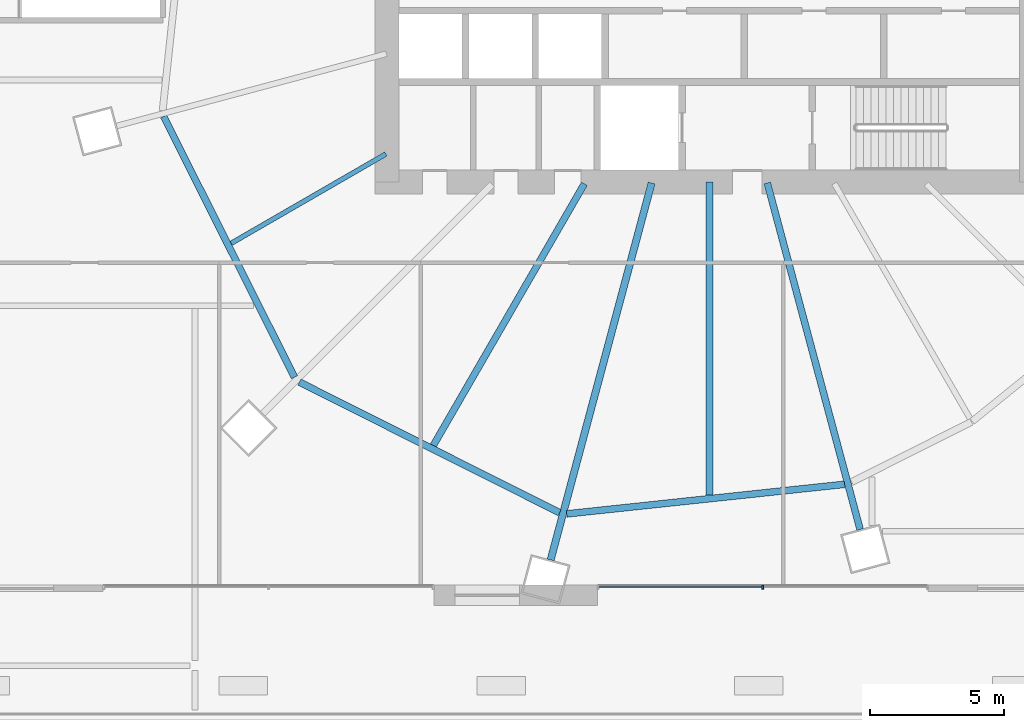
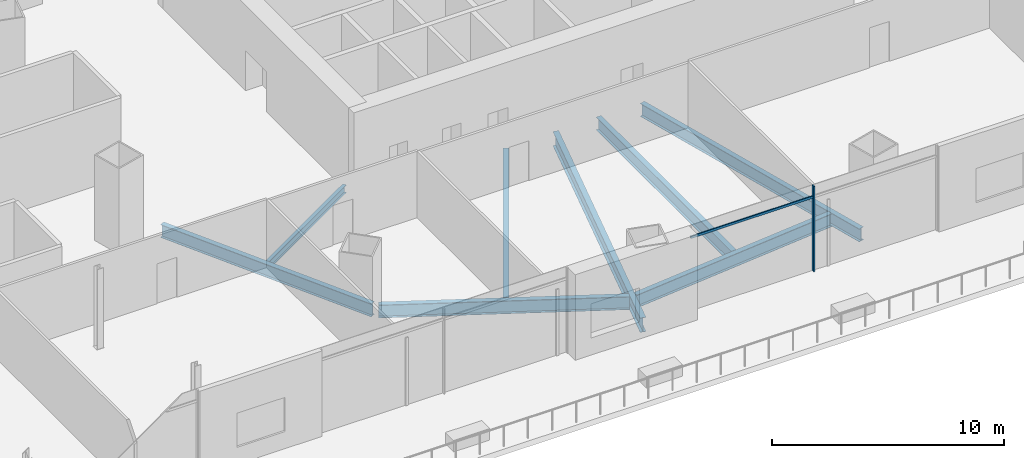
# One storey, part 21 of 49: 8 beams, 2 members, 1 element without a shape of its own.
"""IFC4 building model written with IfcOpenShell, lengths in metres."""

from ifc_helpers import new_model, si_unit, direction, frame, origin, origin_2d, place, context, subcontext, project, spatial, rectangle, i_section, extrude, material, material_profile, profile_set, type_object, element, aggregate, save


model = new_model("IFC4")

# Units and contexts
model_context = context("Model", 3, precision=1e-05, world=origin(), true_north=direction((0.0, 1.0)))
body_context = subcontext(model_context, "Body", "Model", "MODEL_VIEW")
ifc_project = project(units=[si_unit("LENGTHUNIT", "METRE"), si_unit("AREAUNIT", "SQUARE_METRE"), si_unit("VOLUMEUNIT", "CUBIC_METRE"), si_unit("PLANEANGLEUNIT", "RADIAN"), si_unit("MASSUNIT", "GRAM", prefix="KILO")], contexts=[model_context])

# Site, building, storey
site_placement = place(None, origin())
site = spatial("IfcSite", under=ifc_project, at=site_placement, CompositionType="ELEMENT")
building_placement = place(site_placement, origin())
building = spatial("IfcBuilding", under=site, at=building_placement, Name="Rimbun Link Towers", CompositionType="ELEMENT")
storey_placement = place(building_placement, frame((0.0, 0.0, 25.5)))
storey = spatial("IfcBuildingStorey", under=building, at=storey_placement, Name="L05", CompositionType="ELEMENT", Elevation=25.5)

# Curtain wall, members
ifc_material_1 = material(Name="Aluminium 6063-T6 and low-iron glass", Category="aluminium")
curtain_wall_type = type_object("IfcCurtainWallType", Name="CW3 podium shopfront", PredefinedType="NOTDEFINED", material=ifc_material_1)
curtain_wall_placement = place(storey_placement, origin())
curtain_wall = element("IfcCurtainWall", 1, at=curtain_wall_placement, inside=storey, type_object=curtain_wall_type, Name="CW3 L05 PD", PredefinedType="NOTDEFINED")
ifc_material_2 = material(Name="Aluminium 6063-T6", Category="aluminium")
ifc_material_profile_1 = material_profile(ifc_material_2, rectangle(XDim=0.14990234375, YDim=0.06005859375, at=origin_2d()), Name="MULLION 60X150")
ifc_profile_set_1 = profile_set([ifc_material_profile_1], Name="Aluminium 6063-T6")
member_type_1 = type_object("IfcMemberType", Name="CW3 mullion 60X150", PredefinedType="MULLION", material=ifc_profile_set_1)
member_1_placement = place(storey_placement, frame((33.7333984375, -23.074951171875, 0.0), z_axis=(0.0, 0.0, 1.0), x_axis=(0.0, -1.0, 0.0)))
member_1 = element("IfcMember", 2, at=member_1_placement, type_object=member_type_1, Name="CW3 mullion", PredefinedType="MULLION", context=body_context, shape_type="SweptSolid", body=[
    extrude(rectangle(XDim=0.14990234375, YDim=0.06005859375, at=origin_2d()), origin(), (0.0, 0.0, 1.0), 4.5),
])
ifc_material_3 = material(Name="Aluminium 6063-T6", Category="aluminium")
ifc_material_profile_2 = material_profile(ifc_material_3, rectangle(XDim=0.06005859375, YDim=0.1201171875, at=origin_2d()), Name="TRANSOM 60X120")
ifc_profile_set_2 = profile_set([ifc_material_profile_2], Name="Aluminium 6063-T6")
member_type_2 = type_object("IfcMemberType", Name="CW3 transom 60X120", PredefinedType="USERDEFINED", material=ifc_profile_set_2)
member_2_placement = place(storey_placement, frame((33.703369140625, -23.053955078125, 3.89990234375), z_axis=(-1.0, 0.0, 0.0), x_axis=(0.0, -1.0, 0.0)))
member_2 = element("IfcMember", 3, at=member_2_placement, type_object=member_type_2, Name="CW3 transom", ObjectType="TRANSOM", PredefinedType="USERDEFINED", context=body_context, shape_type="SweptSolid", body=[
    extrude(rectangle(XDim=0.06005859375, YDim=0.1201171875, at=origin_2d()), origin(), (0.0, 0.0, 1.0), 6.073486328125),
])
aggregate(curtain_wall, [member_1, member_2])

# Beams
ifc_material_4 = material(Name="Steel S355J2", Category="steel")
ifc_material_profile_3 = material_profile(ifc_material_4, i_section(OverallWidth=0.177978515625, OverallDepth=0.406494140625, WebThickness=0.0078125, FlangeThickness=0.0126953125, at=origin_2d()), Name="UB 406x178x60")
ifc_profile_set_3 = profile_set([ifc_material_profile_3], Name="Steel S355J2")
beam_type_1 = type_object("IfcBeamType", Name="UB 406x178x60", PredefinedType="BEAM", material=ifc_profile_set_3)
beam_1_placement = place(storey_placement, frame((19.70458984375, -6.954345703125, -0.503173828125), z_axis=(-0.866016262799, -0.500015832317, 0.0), x_axis=(0.500015832317, -0.866016262799, 0.0)))
element("IfcBeam", 4, at=beam_1_placement, inside=storey, type_object=beam_type_1, Name="Radial beam T2 L05 11", PredefinedType="BEAM", context=body_context, shape_type="SweptSolid", body=[
    extrude(i_section(OverallWidth=0.177978515625, OverallDepth=0.406494140625, WebThickness=0.0078125, FlangeThickness=0.0126953125, at=origin_2d()), origin(), (0.0, 0.0, 1.0), 6.651123046875),
])
ifc_material_5 = material(Name="Steel S355J2", Category="steel")
ifc_material_profile_4 = material_profile(ifc_material_5, i_section(OverallWidth=0.253662109375, OverallDepth=0.68359375, WebThickness=0.012451171875, FlangeThickness=0.01904296875, at=origin_2d()), Name="UB 686x254x140")
ifc_profile_set_4 = profile_set([ifc_material_profile_4], Name="Steel S355J2")
beam_type_2 = type_object("IfcBeamType", Name="UB 686x254x140", PredefinedType="BEAM", material=ifc_profile_set_4)
beam_2_placement = place(storey_placement, frame((27.093994140625, -8.064208984375, -0.641845703125), z_axis=(-0.499995511288, -0.866027995328, 0.0), x_axis=(0.866027995328, -0.499995511288, 0.0)))
element("IfcBeam", 5, at=beam_2_placement, inside=storey, type_object=beam_type_2, Name="Radial beam T2 L05 13", PredefinedType="BEAM", context=body_context, shape_type="SweptSolid", body=[
    extrude(i_section(OverallWidth=0.253662109375, OverallDepth=0.68359375, WebThickness=0.012451171875, FlangeThickness=0.01904296875, at=origin_2d()), origin(), (0.0, 0.0, 1.0), 11.248046875),
])
beam_3_placement = place(storey_placement, frame((31.75, -8.0009765625, -0.641845703125), z_axis=(0.0, -1.0, 0.0), x_axis=(1.0, 0.0, 0.0)))
element("IfcBeam", 6, at=beam_3_placement, inside=storey, type_object=beam_type_2, Name="Radial beam T2 L05 15", PredefinedType="BEAM", context=body_context, shape_type="SweptSolid", body=[
    extrude(i_section(OverallWidth=0.253662109375, OverallDepth=0.68359375, WebThickness=0.012451171875, FlangeThickness=0.01904296875, at=origin_2d()), origin(), (0.0, 0.0, 1.0), 11.65771484375),
])
beam_4_placement = place(storey_placement, frame((33.902587890625, -8.03369140625, -0.641845703125), z_axis=(0.258816190288, -0.96592659123, 0.0), x_axis=(0.96592659123, 0.258816190288, 0.0)))
element("IfcBeam", 7, at=beam_4_placement, inside=storey, type_object=beam_type_2, Name="Radial beam T2 L05 16", PredefinedType="BEAM", context=body_context, shape_type="SweptSolid", body=[
    extrude(i_section(OverallWidth=0.253662109375, OverallDepth=0.68359375, WebThickness=0.012451171875, FlangeThickness=0.01904296875, at=origin_2d()), origin(), (0.0, 0.0, 1.0), 13.355224609375),
])
beam_5_placement = place(storey_placement, frame((11.429931640625, -5.55419921875, -0.641845703125), z_axis=(0.448516294104, -0.893774655002, 0.0), x_axis=(0.893774655002, 0.448516294104, 0.0)))
element("IfcBeam", 8, at=beam_5_placement, inside=storey, type_object=beam_type_2, Name="Edge beam T2 L05 10-12", PredefinedType="BEAM", context=body_context, shape_type="SweptSolid", body=[
    extrude(i_section(OverallWidth=0.253662109375, OverallDepth=0.68359375, WebThickness=0.012451171875, FlangeThickness=0.01904296875, at=origin_2d()), origin(), (0.0, 0.0, 1.0), 10.865966796875),
])
beam_6_placement = place(storey_placement, frame((16.484130859375, -15.446533203125, -0.641845703125), z_axis=(0.893777409404, -0.448510805264, 0.0), x_axis=(0.448510805264, 0.893777409404, 0.0)))
element("IfcBeam", 9, at=beam_6_placement, inside=storey, type_object=beam_type_2, Name="Edge beam T2 L05 12-14", PredefinedType="BEAM", context=body_context, shape_type="SweptSolid", body=[
    extrude(i_section(OverallWidth=0.253662109375, OverallDepth=0.68359375, WebThickness=0.012451171875, FlangeThickness=0.01904296875, at=origin_2d()), origin(), (0.0, 0.0, 1.0), 10.836669921875),
])
beam_7_placement = place(storey_placement, frame((26.435302734375, -20.353271484375, -0.641845703125), z_axis=(0.994376453373, 0.105903111275, 0.0), x_axis=(-0.105903111275, 0.994376453373, 0.0)))
element("IfcBeam", 10, at=beam_7_placement, inside=storey, type_object=beam_type_2, Name="Edge beam T2 L05 14-16", PredefinedType="BEAM", context=body_context, shape_type="SweptSolid", body=[
    extrude(i_section(OverallWidth=0.253662109375, OverallDepth=0.68359375, WebThickness=0.012451171875, FlangeThickness=0.01904296875, at=origin_2d()), origin(), (0.0, 0.0, 1.0), 10.3994140625),
])
ifc_material_6 = material(Name="Steel S355J2", Category="steel")
ifc_material_profile_5 = material_profile(ifc_material_6, i_section(OverallWidth=0.2666015625, OverallDepth=0.76220703125, WebThickness=0.014404296875, FlangeThickness=0.021484375, at=origin_2d()), Name="UB 762x267x173")
ifc_profile_set_5 = profile_set([ifc_material_profile_5], Name="Steel S355J2")
beam_type_3 = type_object("IfcBeamType", Name="UB 762x267x173", PredefinedType="BEAM", material=ifc_profile_set_5)
beam_8_placement = place(storey_placement, frame((29.596923828125, -8.035400390625, -0.68115234375), z_axis=(-0.25882261837, -0.965924868828, 0.0), x_axis=(0.965924868828, -0.25882261837, 0.0)))
element("IfcBeam", 11, at=beam_8_placement, inside=storey, type_object=beam_type_3, Name="Radial beam T2 L05 14", PredefinedType="BEAM", context=body_context, shape_type="SweptSolid", body=[
    extrude(i_section(OverallWidth=0.2666015625, OverallDepth=0.76220703125, WebThickness=0.014404296875, FlangeThickness=0.021484375, at=origin_2d()), origin(), (0.0, 0.0, 1.0), 14.525390625),
])

save(model, "model.ifc")
